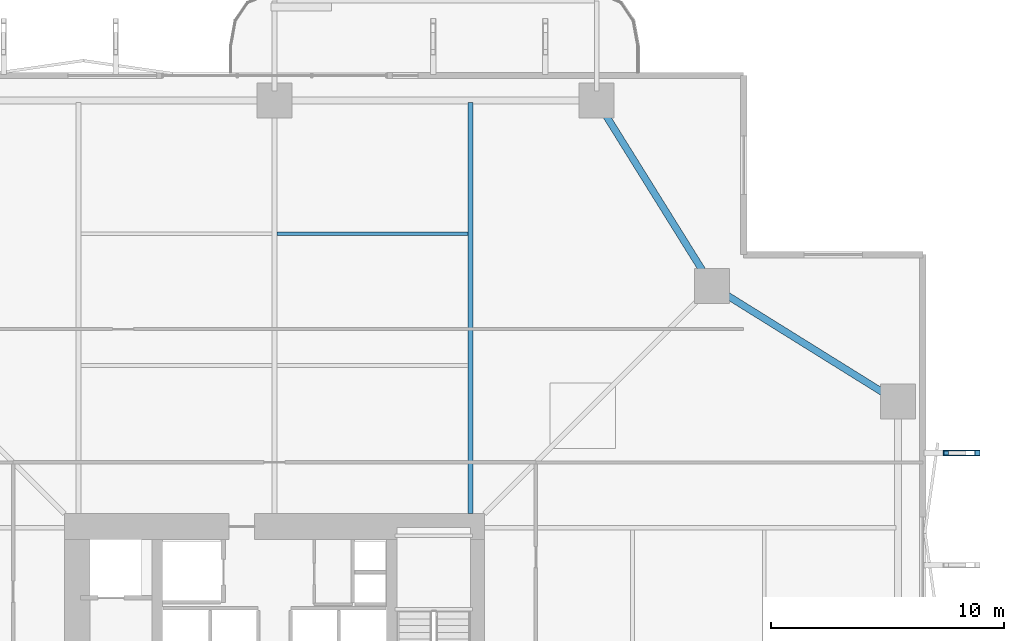
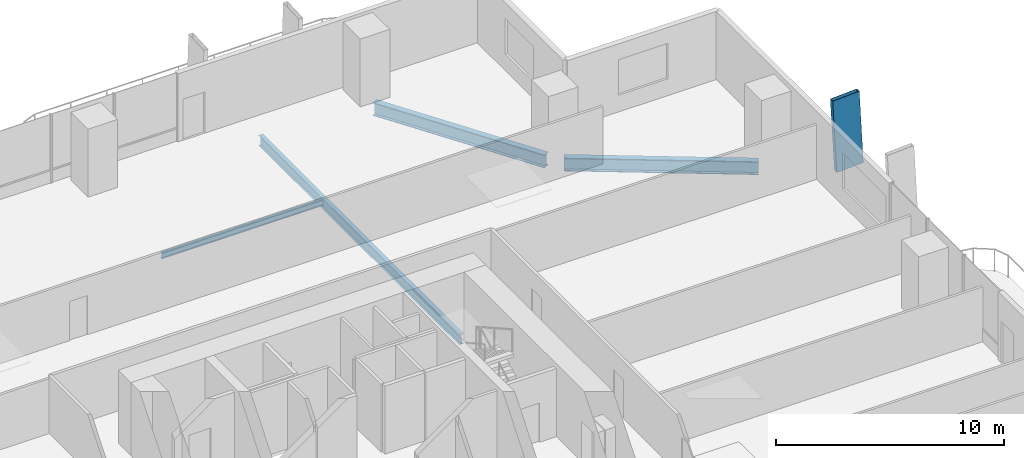
# One storey, part 14 of 23: 4 beams, 1 member.
"""IFC4 building model written with IfcOpenShell, lengths in metres."""

from ifc_helpers import new_model, si_unit, direction, frame, origin, origin_2d, place, context, subcontext, project, spatial, hollow_rectangle, i_section, extrude, material, material_profile, profile_set, type_object, element, save


model = new_model("IFC4")

# Units and contexts
model_context = context("Model", 3, precision=1e-05, world=origin(), true_north=direction((0.0, 1.0)))
body_context = subcontext(model_context, "Body", "Model", "MODEL_VIEW")
ifc_project = project(units=[si_unit("LENGTHUNIT", "METRE"), si_unit("AREAUNIT", "SQUARE_METRE"), si_unit("VOLUMEUNIT", "CUBIC_METRE"), si_unit("PLANEANGLEUNIT", "RADIAN"), si_unit("MASSUNIT", "GRAM", prefix="KILO")], contexts=[model_context])

# Site, building, storey
site_placement = place(None, origin())
site = spatial("IfcSite", under=ifc_project, at=site_placement, CompositionType="ELEMENT")
building_placement = place(site_placement, origin())
building = spatial("IfcBuilding", under=site, at=building_placement, Name="Belovzor Exchange Tower", CompositionType="ELEMENT")
storey_placement = place(building_placement, frame((0.0, 0.0, 65.10009765625)))
storey = spatial("IfcBuildingStorey", under=building, at=storey_placement, Name="L15", CompositionType="ELEMENT", Elevation=65.10009765625)

# Member
ifc_material_1 = material(Name="Extruded Architectural Terracotta on Steel S355 Carrier", Category="masonry")
ifc_material_profile_1 = material_profile(ifc_material_1, hollow_rectangle(XDim=0.219970703125, YDim=1.35009765625, WallThickness=0.013916015625, at=origin_2d()))
ifc_profile_set_1 = profile_set([ifc_material_profile_1], Name="Extruded Architectural Terracotta on Steel S355 Carrier")
member_type = type_object("IfcMemberType", Name="Base Arc Sweeping Terracotta Pylon Fin 1450", PredefinedType="USERDEFINED", material=ifc_profile_set_1)
member_placement = place(storey_placement, frame((58.339111328125, 40.39990234375, -0.25), z_axis=(-0.053011620344, 0.0, 0.998593895489), x_axis=(0.0, -1.0, 0.0)))
element("IfcMember", 1, at=member_placement, inside=storey, type_object=member_type, Name="FIN-TC145 Terracotta Facade Fin L15 E4", ObjectType="FIN", PredefinedType="USERDEFINED", context=body_context, shape_type="SweptSolid", body=[
    extrude(hollow_rectangle(XDim=0.219970703125, YDim=1.35009765625, WallThickness=0.013916015625, at=origin_2d()), origin(), (0.0, 0.0, 1.0), 3.9052734375),
])

# Beams
ifc_material_2 = material(Name="Steel S355", Category="steel")
ifc_material_profile_2 = material_profile(ifc_material_2, i_section(OverallWidth=0.14990234375, OverallDepth=0.300048828125, WebThickness=0.007080078125, FlangeThickness=0.0107421875, at=origin_2d()))
ifc_profile_set_2 = profile_set([ifc_material_profile_2], Name="Steel S355")
beam_type_1 = type_object("IfcBeamType", Name="Secondary Trim Floor Joist IPE 300", PredefinedType="BEAM", material=ifc_profile_set_2)
beam_1_placement = place(storey_placement, frame((28.905029296875, 49.784912109375, -0.400146484375), z_axis=(1.0, 0.0, 0.0), x_axis=(0.0, 1.0, 0.0)))
element("IfcBeam", 2, at=beam_1_placement, inside=storey, type_object=beam_type_1, Name="FJ-300 Secondary Trim Floor Joist IPE 300", PredefinedType="BEAM", context=body_context, shape_type="SweptSolid", body=[
    extrude(i_section(OverallWidth=0.14990234375, OverallDepth=0.300048828125, WebThickness=0.007080078125, FlangeThickness=0.0107421875, at=origin_2d()), origin(), (0.0, 0.0, 1.0), 8.18994140625),
])
ifc_material_3 = material(Name="Steel S355", Category="steel")
ifc_material_profile_3 = material_profile(ifc_material_3, i_section(OverallWidth=0.300048828125, OverallDepth=0.699951171875, WebThickness=0.01708984375, FlangeThickness=0.031982421875, at=origin_2d()))
ifc_profile_set_3 = profile_set([ifc_material_profile_3], Name="Steel S355")
beam_type_2 = type_object("IfcBeamType", Name="Zone 1 Primary Perimeter Girder HEB 700", PredefinedType="BEAM", material=ifc_profile_set_3)
for number, where, z_axis, x_axis, name in (
    (3, (55.14990234375, 42.818115234375, -0.60009765625), (-0.848909251292, 0.528538629686, 0.0), (-0.528538629686, -0.848909251292, 0.0), "FG-Z1 Zone 1 Primary Perimeter Girder HEB 700"),
    (4, (47.33203125, 47.89990234375, -0.60009765625), (-0.528538629686, 0.848909251292, 0.0), (-0.848909251292, -0.528538629686, 0.0), "FG-Z1 Zone 1 Primary Perimeter Girder HEB 700"),
):
    element("IfcBeam", number, at=place(storey_placement, frame(where, z_axis=z_axis, x_axis=x_axis)), inside=storey, type_object=beam_type_2, Name=name, PredefinedType="BEAM", context=body_context, shape_type="SweptSolid", body=[
        extrude(i_section(OverallWidth=0.300048828125, OverallDepth=0.699951171875, WebThickness=0.01708984375, FlangeThickness=0.031982421875, at=origin_2d()), origin(), (0.0, 0.0, 1.0), 8.540283203125),
    ])
ifc_material_4 = material(Name="Steel S355", Category="steel")
ifc_material_profile_4 = material_profile(ifc_material_4, i_section(OverallWidth=0.2099609375, OverallDepth=0.550048828125, WebThickness=0.010986328125, FlangeThickness=0.01708984375, at=origin_2d()))
ifc_profile_set_4 = profile_set([ifc_material_profile_4], Name="Steel S355")
beam_type_3 = type_object("IfcBeamType", Name="Zone 1 Radial Composite Floor Beam IPE 550", PredefinedType="BEAM", material=ifc_profile_set_4)
beam_2_placement = place(storey_placement, frame((37.199951171875, 37.800048828125, -0.525146484375), z_axis=(0.0, 1.0, 0.0), x_axis=(-1.0, 0.0, 0.0)))
element("IfcBeam", 5, at=beam_2_placement, inside=storey, type_object=beam_type_3, Name="FB-550 Zone 1 Radial Composite Floor Beam IPE 550", PredefinedType="BEAM", context=body_context, shape_type="SweptSolid", body=[
    extrude(i_section(OverallWidth=0.2099609375, OverallDepth=0.550048828125, WebThickness=0.010986328125, FlangeThickness=0.01708984375, at=origin_2d()), origin(), (0.0, 0.0, 1.0), 17.625),
])

save(model, "model.ifc")
